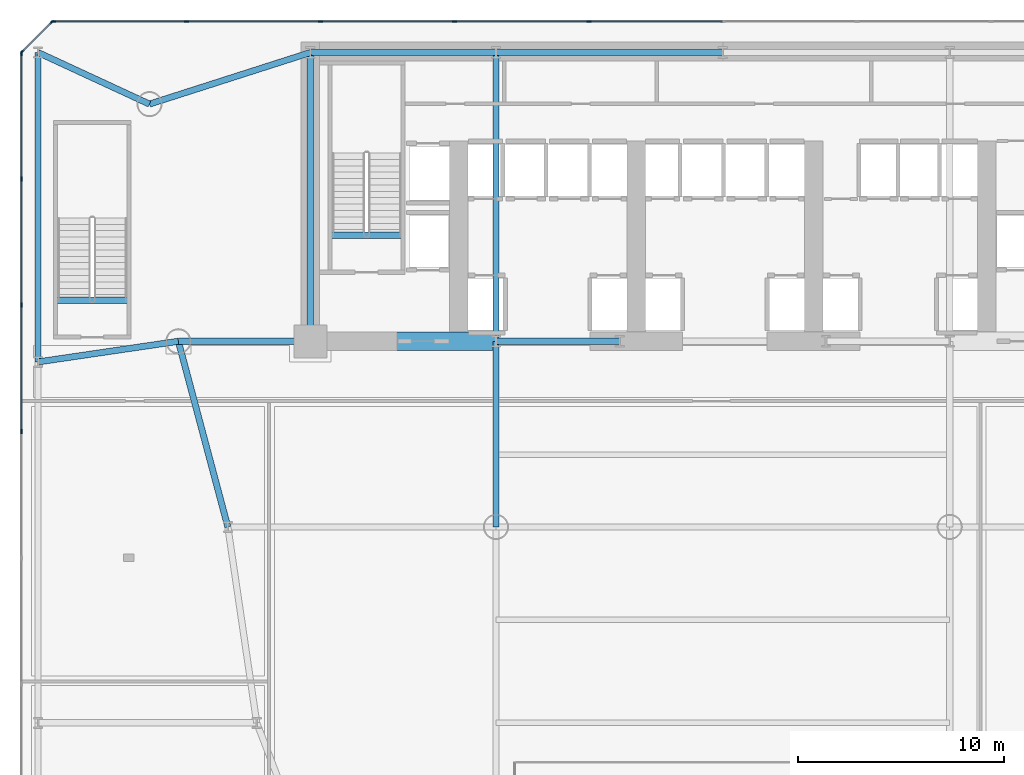
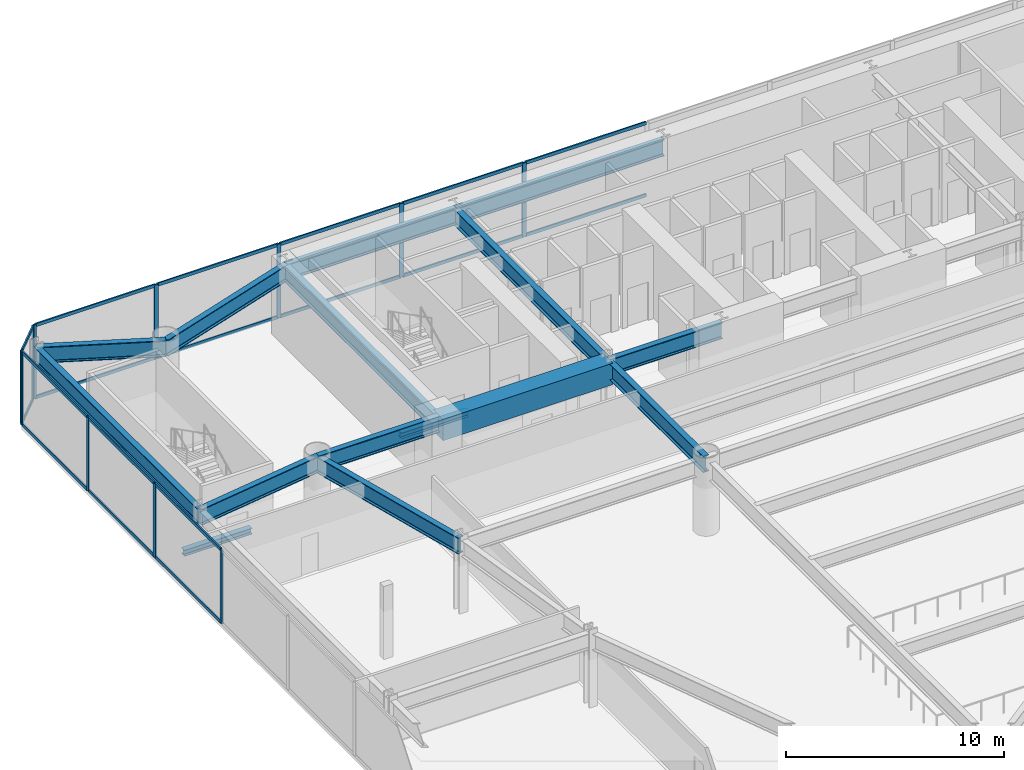
# One storey, part 7 of 24: 29 members, 15 beams, 3 elements without a shape of their own.
"""IFC4 building model written with IfcOpenShell, lengths in metres."""

from ifc_helpers import new_model, si_unit, direction, frame, origin, origin_2d, place, context, subcontext, project, spatial, rectangle, i_section, extrude, source, transform, mapped, material, layer, layer_set, material_profile, profile_set, type_object, element, aggregate, save


model = new_model("IFC4")

# Units and contexts
model_context = context("Model", 3, precision=1e-05, world=origin(), true_north=direction((0.0, 1.0)))
body_context = subcontext(model_context, "Body", "Model", "MODEL_VIEW")
ifc_project = project(units=[si_unit("LENGTHUNIT", "METRE"), si_unit("AREAUNIT", "SQUARE_METRE"), si_unit("VOLUMEUNIT", "CUBIC_METRE"), si_unit("PLANEANGLEUNIT", "RADIAN"), si_unit("MASSUNIT", "GRAM", prefix="KILO")], contexts=[model_context])

# Site, building, storey
site_placement = place(None, origin())
site = spatial("IfcSite", under=ifc_project, at=site_placement, CompositionType="ELEMENT")
building_placement = place(site_placement, origin())
building = spatial("IfcBuilding", under=site, at=building_placement, Name="Vaeldorn Concourse Tower", CompositionType="ELEMENT")
storey_placement = place(building_placement, frame((0.0, 0.0, 5.60009765625)))
storey = spatial("IfcBuildingStorey", under=building, at=storey_placement, Name="L01", CompositionType="ELEMENT", Elevation=5.60009765625)

# Beams
ifc_material_1 = material(Name="Concrete C60/75", Category="concrete")
ifc_material_profile_1 = material_profile(ifc_material_1, rectangle(XDim=0.89990234375, YDim=1.199951171875, at=origin_2d()), Name="RC 900x1200")
ifc_profile_set_1 = profile_set([ifc_material_profile_1], Name="Concrete C60/75")
beam_type_1 = type_object("IfcBeamType", Name="BM-CB-RC900", PredefinedType="BEAM", material=ifc_profile_set_1)
shared_shape_1 = source(origin(), body_context, "Body", "SweptSolid", [
    extrude(rectangle(XDim=0.89990234375, YDim=1.199951171875, at=origin_2d()), origin(), (0.0, 0.0, 1.0), 9.0),
])
beam_1_placement = place(storey_placement, frame((14.0, 36.5, 3.52001953125), z_axis=(1.0, 0.0, 0.0), x_axis=(0.0, 1.0, 0.0)))
element("IfcBeam", 1, at=beam_1_placement, inside=storey, type_object=beam_type_1, Name="Core Coupling Beam L01-1", PredefinedType="BEAM", context=body_context, shape_type="MappedRepresentation", body=[
    mapped(shared_shape_1, transform((0.0, 0.0, 0.0), scale=1.0)),
])
ifc_material_2 = material(Name="Steel S355", Category="steel")
ifc_material_profile_2 = material_profile(ifc_material_2, i_section(OverallWidth=0.300048828125, OverallDepth=0.340087890625, WebThickness=0.011962890625, FlangeThickness=0.021484375, FilletRadius=0.027099609375, at=origin_2d()), Name="HEB 340")
ifc_profile_set_2 = profile_set([ifc_material_profile_2], Name="Steel S355")
beam_type_2 = type_object("IfcBeamType", Name="BM-ST-TRIM", PredefinedType="BEAM", material=ifc_profile_set_2)
shared_shape_2 = source(origin(), body_context, "Body", "SweptSolid", [
    extrude(i_section(OverallWidth=0.300048828125, OverallDepth=0.340087890625, WebThickness=0.011962890625, FlangeThickness=0.021484375, FilletRadius=0.027099609375, at=origin_2d()), origin(), (0.0, 0.0, 1.0), 3.590087890625),
])
for number, where, z_axis, x_axis, name in (
    (2, (14.929931640625, 41.639892578125, -0.4501953125), (1.0, 0.0, 0.0), (0.0, 1.0, 0.0), "Stair Landing Trimmer Beam ST-1 L01"),
    (3, (1.6298828125, 38.489990234375, -0.4501953125), (1.0, 0.0, 0.0), (0.0, 1.0, 0.0), "Stair Landing Trimmer Beam ST-3 L01"),
):
    element("IfcBeam", number, at=place(storey_placement, frame(where, z_axis=z_axis, x_axis=x_axis)), inside=storey, type_object=beam_type_2, Name=name, PredefinedType="BEAM", context=body_context, shape_type="MappedRepresentation", body=[
        mapped(shared_shape_2, transform((0.0, 0.0, 0.0), scale=1.0)),
    ])
ifc_material_profile_3 = material_profile(ifc_material_2, i_section(OverallWidth=0.302001953125, OverallDepth=0.909912109375, WebThickness=0.02099609375, FlangeThickness=0.0400390625, FilletRadius=0.030029296875, at=origin_2d()), Name="HEM 900")
ifc_profile_set_3 = profile_set([ifc_material_profile_3], Name="Steel S355")
beam_type_3 = type_object("IfcBeamType", Name="BM-PG-HEM900", PredefinedType="BEAM", material=ifc_profile_set_3)
shared_shape_3 = source(origin(), body_context, "Body", "SweptSolid", [
    extrude(i_section(OverallWidth=0.302001953125, OverallDepth=0.909912109375, WebThickness=0.02099609375, FlangeThickness=0.0400390625, FilletRadius=0.030029296875, at=origin_2d()), origin(), (0.0, 0.0, 1.0), 6.0),
])
beam_2_placement = place(storey_placement, frame((23.0, 36.5, 3.664794921875), z_axis=(1.0, 0.0, 0.0), x_axis=(0.0, 1.0, 0.0)))
element("IfcBeam", 4, at=beam_2_placement, inside=storey, type_object=beam_type_3, Name="Beam BM-L01-C-FC2-C-FC3", PredefinedType="BEAM", context=body_context, shape_type="MappedRepresentation", body=[
    mapped(shared_shape_3, transform((0.0, 0.0, 0.0), scale=1.0)),
])
shared_shape_4 = source(origin(), body_context, "Body", "SweptSolid", [
    extrude(i_section(OverallWidth=0.302001953125, OverallDepth=0.909912109375, WebThickness=0.02099609375, FlangeThickness=0.0400390625, FilletRadius=0.030029296875, at=origin_2d()), origin(), (0.0, 0.0, 1.0), 9.0),
])
for number, where, z_axis, x_axis, name in (
    (5, (14.0, 50.5, 3.664794921875), (1.0, 0.0, 0.0), (0.0, 1.0, 0.0), "Beam BM-L01-C-HC1-C-HC2"),
    (6, (23.0, 27.5, 3.664794921875), (0.0, 1.0, 0.0), (-1.0, 0.0, 0.0), "Beam BM-L01-C-TW1-C-FC2"),
):
    element("IfcBeam", number, at=place(storey_placement, frame(where, z_axis=z_axis, x_axis=x_axis)), inside=storey, type_object=beam_type_3, Name=name, PredefinedType="BEAM", context=body_context, shape_type="MappedRepresentation", body=[
        mapped(shared_shape_4, transform((0.0, 0.0, 0.0), scale=1.0)),
    ])
shared_shape_5 = source(origin(), body_context, "Body", "SweptSolid", [
    extrude(i_section(OverallWidth=0.302001953125, OverallDepth=0.909912109375, WebThickness=0.02099609375, FlangeThickness=0.0400390625, FilletRadius=0.030029296875, at=origin_2d()), origin(), (0.0, 0.0, 1.0), 11.0),
])
beam_3_placement = place(storey_placement, frame((23.0, 50.5, 3.664794921875), z_axis=(1.0, 0.0, 0.0), x_axis=(0.0, 1.0, 0.0)))
element("IfcBeam", 7, at=beam_3_placement, inside=storey, type_object=beam_type_3, Name="Beam BM-L01-C-HC2-C-HC3", PredefinedType="BEAM", context=body_context, shape_type="MappedRepresentation", body=[
    mapped(shared_shape_5, transform((0.0, 0.0, 0.0), scale=1.0)),
])
shared_shape_6 = source(origin(), body_context, "Body", "SweptSolid", [
    extrude(i_section(OverallWidth=0.302001953125, OverallDepth=0.909912109375, WebThickness=0.02099609375, FlangeThickness=0.0400390625, FilletRadius=0.030029296875, at=origin_2d()), origin(), (0.0, 0.0, 1.0), 14.0),
])
for number, where, z_axis, x_axis, name in (
    (8, (14.0, 36.5, 3.664794921875), (0.0, 1.0, 0.0), (-1.0, 0.0, 0.0), "Beam BM-L01-C-FC1-C-HC1"),
    (9, (23.0, 36.5, 3.664794921875), (0.0, 1.0, 0.0), (-1.0, 0.0, 0.0), "Beam BM-L01-C-FC2-C-HC2"),
):
    element("IfcBeam", number, at=place(storey_placement, frame(where, z_axis=z_axis, x_axis=x_axis)), inside=storey, type_object=beam_type_3, Name=name, PredefinedType="BEAM", context=body_context, shape_type="MappedRepresentation", body=[
        mapped(shared_shape_6, transform((0.0, 0.0, 0.0), scale=1.0)),
    ])
shared_shape_7 = source(origin(), body_context, "Body", "SweptSolid", [
    extrude(i_section(OverallWidth=0.302001953125, OverallDepth=0.909912109375, WebThickness=0.02099609375, FlangeThickness=0.0400390625, FilletRadius=0.030029296875, at=origin_2d()), origin(), (0.0, 0.0, 1.0), 15.0),
])
beam_4_placement = place(storey_placement, frame((0.800048828125, 35.5, 3.664794921875), z_axis=(0.0, 1.0, 0.0), x_axis=(-1.0, 0.0, 0.0)))
element("IfcBeam", 10, at=beam_4_placement, inside=storey, type_object=beam_type_3, Name="Beam BM-L01-C-PW3-C-PW4", PredefinedType="BEAM", context=body_context, shape_type="MappedRepresentation", body=[
    mapped(shared_shape_7, transform((0.0, 0.0, 0.0), scale=1.0)),
])
shared_shape_8 = source(origin(), body_context, "Body", "SweptSolid", [
    extrude(i_section(OverallWidth=0.302001953125, OverallDepth=0.909912109375, WebThickness=0.02099609375, FlangeThickness=0.0400390625, FilletRadius=0.030029296875, at=origin_2d()), origin(), (0.0, 0.0, 1.0), 6.873291015625),
])
beam_5_placement = place(storey_placement, frame((0.800048828125, 35.5, 3.664794921875), z_axis=(0.989359285749, 0.145492967882, 0.0), x_axis=(-0.145492967882, 0.989359285749, 0.0)))
element("IfcBeam", 11, at=beam_5_placement, inside=storey, type_object=beam_type_3, Name="Beam BM-L01-C-PW3-C-NW2", PredefinedType="BEAM", context=body_context, shape_type="MappedRepresentation", body=[
    mapped(shared_shape_8, transform((0.0, 0.0, 0.0), scale=1.0)),
])
shared_shape_9 = source(origin(), body_context, "Body", "SweptSolid", [
    extrude(i_section(OverallWidth=0.302001953125, OverallDepth=0.909912109375, WebThickness=0.02099609375, FlangeThickness=0.0400390625, FilletRadius=0.030029296875, at=origin_2d()), origin(), (0.0, 0.0, 1.0), 6.39990234375),
])
beam_6_placement = place(storey_placement, frame((7.60009765625, 36.5, 3.664794921875), z_axis=(1.0, 0.0, 0.0), x_axis=(0.0, 1.0, 0.0)))
element("IfcBeam", 12, at=beam_6_placement, inside=storey, type_object=beam_type_3, Name="Beam BM-L01-C-NW2-C-FC1", PredefinedType="BEAM", context=body_context, shape_type="MappedRepresentation", body=[
    mapped(shared_shape_9, transform((0.0, 0.0, 0.0), scale=1.0)),
])
shared_shape_10 = source(origin(), body_context, "Body", "SweptSolid", [
    extrude(i_section(OverallWidth=0.302001953125, OverallDepth=0.909912109375, WebThickness=0.02099609375, FlangeThickness=0.0400390625, FilletRadius=0.030029296875, at=origin_2d()), origin(), (0.0, 0.0, 1.0), 5.950439453125),
])
beam_7_placement = place(storey_placement, frame((0.800048828125, 50.5, 3.664794921875), z_axis=(0.907464010437, -0.420129824888, 0.0), x_axis=(0.420129824888, 0.907464010437, 0.0)))
element("IfcBeam", 13, at=beam_7_placement, inside=storey, type_object=beam_type_3, Name="Beam BM-L01-C-PW4-C-NW1", PredefinedType="BEAM", context=body_context, shape_type="MappedRepresentation", body=[
    mapped(shared_shape_10, transform((0.0, 0.0, 0.0), scale=1.0)),
])
shared_shape_11 = source(origin(), body_context, "Body", "SweptSolid", [
    extrude(i_section(OverallWidth=0.302001953125, OverallDepth=0.909912109375, WebThickness=0.02099609375, FlangeThickness=0.0400390625, FilletRadius=0.030029296875, at=origin_2d()), origin(), (0.0, 0.0, 1.0), 8.19091796875),
])
beam_8_placement = place(storey_placement, frame((6.199951171875, 48.0, 3.664794921875), z_axis=(0.952282843383, 0.305216949396, 0.0), x_axis=(-0.305216949396, 0.952282843383, 0.0)))
element("IfcBeam", 14, at=beam_8_placement, inside=storey, type_object=beam_type_3, Name="Beam BM-L01-C-NW1-C-HC1", PredefinedType="BEAM", context=body_context, shape_type="MappedRepresentation", body=[
    mapped(shared_shape_11, transform((0.0, 0.0, 0.0), scale=1.0)),
])
shared_shape_12 = source(origin(), body_context, "Body", "SweptSolid", [
    extrude(i_section(OverallWidth=0.302001953125, OverallDepth=0.909912109375, WebThickness=0.02099609375, FlangeThickness=0.0400390625, FilletRadius=0.030029296875, at=origin_2d()), origin(), (0.0, 0.0, 1.0), 9.314453125),
])
beam_9_placement = place(storey_placement, frame((7.60009765625, 36.5, 3.664794921875), z_axis=(0.257652862255, -0.966237549763, 0.0), x_axis=(0.966237549763, 0.257652862255, 0.0)))
element("IfcBeam", 15, at=beam_9_placement, inside=storey, type_object=beam_type_3, Name="Beam BM-L01-C-NW2-C-FLW1", PredefinedType="BEAM", context=body_context, shape_type="MappedRepresentation", body=[
    mapped(shared_shape_12, transform((0.0, 0.0, 0.0), scale=1.0)),
])

# Curtain wall, members
ifc_material_3 = material(Name="Anodised Bronze Aluminium", Category="aluminium")
ifc_layer = layer(ifc_material_3, 0.239990234375)
ifc_layer_set = layer_set([ifc_layer], Name="Anodised Bronze Aluminium")
curtain_wall_type = type_object("IfcCurtainWallType", Name="CW-SYS-04", PredefinedType="NOTDEFINED", material=ifc_layer_set)
curtain_wall_1_placement = place(storey_placement, origin())
curtain_wall_1 = element("IfcCurtainWall", 16, at=curtain_wall_1_placement, inside=storey, type_object=curtain_wall_type, Name="Unitised Curtain Wall CW-L01-E05-1", PredefinedType="NOTDEFINED")
ifc_material_profile_4 = material_profile(ifc_material_3, rectangle(XDim=0.074951171875, YDim=0.219970703125, at=origin_2d()), Name="CWM 75x220")
ifc_profile_set_4 = profile_set([ifc_material_profile_4], Name="Anodised Bronze Aluminium")
member_type_1 = type_object("IfcMemberType", Name="CWM-BRONZE-220", PredefinedType="MULLION", material=ifc_profile_set_4)
shared_shape_13 = source(origin(), body_context, "Body", "SweptSolid", [
    extrude(rectangle(XDim=0.074951171875, YDim=0.219970703125, at=origin_2d()), origin(), (0.0, 0.0, 1.0), 4.119873046875),
])
member_1_placement = place(storey_placement, frame((27.5, 52.0, 0.0), z_axis=(0.0, 0.0, 1.0), x_axis=(0.0, -1.0, 0.0)))
member_1 = element("IfcMember", 17, at=member_1_placement, type_object=member_type_1, Name="CW-04 mullion 7", PredefinedType="MULLION", context=body_context, shape_type="MappedRepresentation", body=[
    mapped(shared_shape_13, transform((0.0, 0.0, 0.0), scale=1.0)),
])
member_2_placement = place(storey_placement, frame((21.0, 52.0, 0.0), z_axis=(0.0, 0.0, 1.0), x_axis=(0.0, -1.0, 0.0)))
member_2 = element("IfcMember", 18, at=member_2_placement, type_object=member_type_1, Name="CW-04 mullion 8", PredefinedType="MULLION", context=body_context, shape_type="MappedRepresentation", body=[
    mapped(shared_shape_13, transform((0.0, 0.0, 0.0), scale=1.0)),
])
member_3_placement = place(storey_placement, frame((14.5, 52.0, 0.0), z_axis=(0.0, 0.0, 1.0), x_axis=(0.0, -1.0, 0.0)))
member_3 = element("IfcMember", 19, at=member_3_placement, type_object=member_type_1, Name="CW-04 mullion 9", PredefinedType="MULLION", context=body_context, shape_type="MappedRepresentation", body=[
    mapped(shared_shape_13, transform((0.0, 0.0, 0.0), scale=1.0)),
])
member_4_placement = place(storey_placement, frame((8.0, 52.0, 0.0), z_axis=(0.0, 0.0, 1.0), x_axis=(0.0, -1.0, 0.0)))
member_4 = element("IfcMember", 20, at=member_4_placement, type_object=member_type_1, Name="CW-04 mullion 10", PredefinedType="MULLION", context=body_context, shape_type="MappedRepresentation", body=[
    mapped(shared_shape_13, transform((0.0, 0.0, 0.0), scale=1.0)),
])
member_5_placement = place(storey_placement, frame((1.53759765625, 52.0, 0.0), z_axis=(0.0, 0.0, 1.0), x_axis=(0.0, -1.0, 0.0)))
member_5 = element("IfcMember", 21, at=member_5_placement, type_object=member_type_1, Name="CW-04 mullion 11", PredefinedType="MULLION", context=body_context, shape_type="MappedRepresentation", body=[
    mapped(shared_shape_13, transform((0.0, 0.0, 0.0), scale=1.0)),
])

curtain_wall_2_placement = place(storey_placement, origin())
curtain_wall_2 = element("IfcCurtainWall", 22, at=curtain_wall_2_placement, inside=storey, type_object=curtain_wall_type, Name="Unitised Curtain Wall CW-L01-E06-1", PredefinedType="NOTDEFINED")
member_6_placement = place(storey_placement, frame((1.473388671875, 51.973388671875, 0.0), z_axis=(0.0, 0.0, 1.0), x_axis=(0.707106781187, -0.707106781187, 0.0)))
member_6 = element("IfcMember", 23, at=member_6_placement, type_object=member_type_1, Name="CW-04 mullion 1", PredefinedType="MULLION", context=body_context, shape_type="MappedRepresentation", body=[
    mapped(shared_shape_13, transform((0.0, 0.0, 0.0), scale=1.0)),
])
member_7_placement = place(storey_placement, frame((0.026611328125, 50.526611328125, 0.0), z_axis=(0.0, 0.0, 1.0), x_axis=(0.707106781187, -0.707106781187, 0.0)))
member_7 = element("IfcMember", 24, at=member_7_placement, type_object=member_type_1, Name="CW-04 mullion 2", PredefinedType="MULLION", context=body_context, shape_type="MappedRepresentation", body=[
    mapped(shared_shape_13, transform((0.0, 0.0, 0.0), scale=1.0)),
])

curtain_wall_3_placement = place(storey_placement, origin())
curtain_wall_3 = element("IfcCurtainWall", 25, at=curtain_wall_3_placement, inside=storey, type_object=curtain_wall_type, Name="Unitised Curtain Wall CW-L01-E07-1", PredefinedType="NOTDEFINED")
member_8_placement = place(storey_placement, frame((0.0, 50.46240234375, 0.0), z_axis=(0.0, 0.0, 1.0), x_axis=(1.0, 0.0, 0.0)))
member_8 = element("IfcMember", 26, at=member_8_placement, type_object=member_type_1, Name="CW-04 mullion 1", PredefinedType="MULLION", context=body_context, shape_type="MappedRepresentation", body=[
    mapped(shared_shape_13, transform((0.0, 0.0, 0.0), scale=1.0)),
])
member_9_placement = place(storey_placement, frame((0.0, 44.375, 0.0), z_axis=(0.0, 0.0, 1.0), x_axis=(1.0, 0.0, 0.0)))
member_9 = element("IfcMember", 27, at=member_9_placement, type_object=member_type_1, Name="CW-04 mullion 2", PredefinedType="MULLION", context=body_context, shape_type="MappedRepresentation", body=[
    mapped(shared_shape_13, transform((0.0, 0.0, 0.0), scale=1.0)),
])
member_10_placement = place(storey_placement, frame((0.0, 38.25, 0.0), z_axis=(0.0, 0.0, 1.0), x_axis=(1.0, 0.0, 0.0)))
member_10 = element("IfcMember", 28, at=member_10_placement, type_object=member_type_1, Name="CW-04 mullion 3", PredefinedType="MULLION", context=body_context, shape_type="MappedRepresentation", body=[
    mapped(shared_shape_13, transform((0.0, 0.0, 0.0), scale=1.0)),
])
member_11_placement = place(storey_placement, frame((0.0, 32.125, 0.0), z_axis=(0.0, 0.0, 1.0), x_axis=(1.0, 0.0, 0.0)))
member_11 = element("IfcMember", 29, at=member_11_placement, type_object=member_type_1, Name="CW-04 mullion 4", PredefinedType="MULLION", context=body_context, shape_type="MappedRepresentation", body=[
    mapped(shared_shape_13, transform((0.0, 0.0, 0.0), scale=1.0)),
])

# Member
ifc_material_profile_5 = material_profile(ifc_material_3, rectangle(XDim=0.074951171875, YDim=0.179931640625, at=origin_2d()), Name="CWT 75x180")
ifc_profile_set_5 = profile_set([ifc_material_profile_5], Name="Anodised Bronze Aluminium")
member_type_2 = type_object("IfcMemberType", Name="CWT-BRONZE-180", PredefinedType="USERDEFINED", material=ifc_profile_set_5)
shared_shape_14 = source(origin(), body_context, "Body", "SweptSolid", [
    extrude(rectangle(XDim=0.074951171875, YDim=0.179931640625, at=origin_2d()), origin(), (0.0, 0.0, 1.0), 6.387451171875),
])
member_12_placement = place(storey_placement, frame((7.96240234375, 52.0, 0.037353515625), z_axis=(-1.0, 0.0, 0.0), x_axis=(0.0, -1.0, 0.0)))
member_12 = element("IfcMember", 30, at=member_12_placement, type_object=member_type_2, Name="CW-04 transom 10.1", ObjectType="TRANSOM", PredefinedType="USERDEFINED", context=body_context, shape_type="MappedRepresentation", body=[
    mapped(shared_shape_14, transform((0.0, 0.0, 0.0), scale=1.0)),
])

member_13_placement = place(storey_placement, frame((7.96240234375, 52.0, 4.08251953125), z_axis=(-1.0, 0.0, 0.0), x_axis=(0.0, -1.0, 0.0)))
member_13 = element("IfcMember", 31, at=member_13_placement, type_object=member_type_2, Name="CW-04 transom 10.2", ObjectType="TRANSOM", PredefinedType="USERDEFINED", context=body_context, shape_type="MappedRepresentation", body=[
    mapped(shared_shape_14, transform((0.0, 0.0, 0.0), scale=1.0)),
])

shared_shape_15 = source(origin(), body_context, "Body", "SweptSolid", [
    extrude(rectangle(XDim=0.074951171875, YDim=0.179931640625, at=origin_2d()), origin(), (0.0, 0.0, 1.0), 6.4248046875),
])
member_14_placement = place(storey_placement, frame((33.96240234375, 52.0, 0.037353515625), z_axis=(-1.0, 0.0, 0.0), x_axis=(0.0, -1.0, 0.0)))
member_14 = element("IfcMember", 32, at=member_14_placement, type_object=member_type_2, Name="CW-04 transom 6.1", ObjectType="TRANSOM", PredefinedType="USERDEFINED", context=body_context, shape_type="MappedRepresentation", body=[
    mapped(shared_shape_15, transform((0.0, 0.0, 0.0), scale=1.0)),
])

member_15_placement = place(storey_placement, frame((33.96240234375, 52.0, 4.08251953125), z_axis=(-1.0, 0.0, 0.0), x_axis=(0.0, -1.0, 0.0)))
member_15 = element("IfcMember", 33, at=member_15_placement, type_object=member_type_2, Name="CW-04 transom 6.2", ObjectType="TRANSOM", PredefinedType="USERDEFINED", context=body_context, shape_type="MappedRepresentation", body=[
    mapped(shared_shape_15, transform((0.0, 0.0, 0.0), scale=1.0)),
])

member_16_placement = place(storey_placement, frame((27.46240234375, 52.0, 0.037353515625), z_axis=(-1.0, 0.0, 0.0), x_axis=(0.0, -1.0, 0.0)))
member_16 = element("IfcMember", 34, at=member_16_placement, type_object=member_type_2, Name="CW-04 transom 7.1", ObjectType="TRANSOM", PredefinedType="USERDEFINED", context=body_context, shape_type="MappedRepresentation", body=[
    mapped(shared_shape_15, transform((0.0, 0.0, 0.0), scale=1.0)),
])

member_17_placement = place(storey_placement, frame((27.46240234375, 52.0, 4.08251953125), z_axis=(-1.0, 0.0, 0.0), x_axis=(0.0, -1.0, 0.0)))
member_17 = element("IfcMember", 35, at=member_17_placement, type_object=member_type_2, Name="CW-04 transom 7.2", ObjectType="TRANSOM", PredefinedType="USERDEFINED", context=body_context, shape_type="MappedRepresentation", body=[
    mapped(shared_shape_15, transform((0.0, 0.0, 0.0), scale=1.0)),
])

member_18_placement = place(storey_placement, frame((20.96240234375, 52.0, 0.037353515625), z_axis=(-1.0, 0.0, 0.0), x_axis=(0.0, -1.0, 0.0)))
member_18 = element("IfcMember", 36, at=member_18_placement, type_object=member_type_2, Name="CW-04 transom 8.1", ObjectType="TRANSOM", PredefinedType="USERDEFINED", context=body_context, shape_type="MappedRepresentation", body=[
    mapped(shared_shape_15, transform((0.0, 0.0, 0.0), scale=1.0)),
])

member_19_placement = place(storey_placement, frame((20.96240234375, 52.0, 4.08251953125), z_axis=(-1.0, 0.0, 0.0), x_axis=(0.0, -1.0, 0.0)))
member_19 = element("IfcMember", 37, at=member_19_placement, type_object=member_type_2, Name="CW-04 transom 8.2", ObjectType="TRANSOM", PredefinedType="USERDEFINED", context=body_context, shape_type="MappedRepresentation", body=[
    mapped(shared_shape_15, transform((0.0, 0.0, 0.0), scale=1.0)),
])

member_20_placement = place(storey_placement, frame((14.46240234375, 52.0, 0.037353515625), z_axis=(-1.0, 0.0, 0.0), x_axis=(0.0, -1.0, 0.0)))
member_20 = element("IfcMember", 38, at=member_20_placement, type_object=member_type_2, Name="CW-04 transom 9.1", ObjectType="TRANSOM", PredefinedType="USERDEFINED", context=body_context, shape_type="MappedRepresentation", body=[
    mapped(shared_shape_15, transform((0.0, 0.0, 0.0), scale=1.0)),
])

member_21_placement = place(storey_placement, frame((14.46240234375, 52.0, 4.08251953125), z_axis=(-1.0, 0.0, 0.0), x_axis=(0.0, -1.0, 0.0)))
member_21 = element("IfcMember", 39, at=member_21_placement, type_object=member_type_2, Name="CW-04 transom 9.2", ObjectType="TRANSOM", PredefinedType="USERDEFINED", context=body_context, shape_type="MappedRepresentation", body=[
    mapped(shared_shape_15, transform((0.0, 0.0, 0.0), scale=1.0)),
])

aggregate(curtain_wall_1, [member_1, member_2, member_3, member_4, member_5, member_14, member_15, member_16, member_17, member_18, member_19, member_20, member_21, member_12, member_13])

shared_shape_16 = source(origin(), body_context, "Body", "SweptSolid", [
    extrude(rectangle(XDim=0.074951171875, YDim=0.179931640625, at=origin_2d()), origin(), (0.0, 0.0, 1.0), 1.971435546875),
])
member_22_placement = place(storey_placement, frame((1.447021484375, 51.947021484375, 0.037353515625), z_axis=(-0.707106781187, -0.707106781187, 0.0), x_axis=(0.707106781187, -0.707106781187, 0.0)))
member_22 = element("IfcMember", 40, at=member_22_placement, type_object=member_type_2, Name="CW-04 transom 1.1", ObjectType="TRANSOM", PredefinedType="USERDEFINED", context=body_context, shape_type="MappedRepresentation", body=[
    mapped(shared_shape_16, transform((0.0, 0.0, 0.0), scale=1.0)),
])

member_23_placement = place(storey_placement, frame((1.447021484375, 51.947021484375, 4.08251953125), z_axis=(-0.707106781187, -0.707106781187, 0.0), x_axis=(0.707106781187, -0.707106781187, 0.0)))
member_23 = element("IfcMember", 41, at=member_23_placement, type_object=member_type_2, Name="CW-04 transom 1.2", ObjectType="TRANSOM", PredefinedType="USERDEFINED", context=body_context, shape_type="MappedRepresentation", body=[
    mapped(shared_shape_16, transform((0.0, 0.0, 0.0), scale=1.0)),
])

aggregate(curtain_wall_2, [member_6, member_7, member_22, member_23])

shared_shape_17 = source(origin(), body_context, "Body", "SweptSolid", [
    extrude(rectangle(XDim=0.074951171875, YDim=0.179931640625, at=origin_2d()), origin(), (0.0, 0.0, 1.0), 6.012451171875),
])
member_24_placement = place(storey_placement, frame((0.0, 50.425048828125, 0.037353515625), z_axis=(0.0, -1.0, 0.0), x_axis=(1.0, 0.0, 0.0)))
member_24 = element("IfcMember", 42, at=member_24_placement, type_object=member_type_2, Name="CW-04 transom 1.1", ObjectType="TRANSOM", PredefinedType="USERDEFINED", context=body_context, shape_type="MappedRepresentation", body=[
    mapped(shared_shape_17, transform((0.0, 0.0, 0.0), scale=1.0)),
])

member_25_placement = place(storey_placement, frame((0.0, 50.425048828125, 4.08251953125), z_axis=(0.0, -1.0, 0.0), x_axis=(1.0, 0.0, 0.0)))
member_25 = element("IfcMember", 43, at=member_25_placement, type_object=member_type_2, Name="CW-04 transom 1.2", ObjectType="TRANSOM", PredefinedType="USERDEFINED", context=body_context, shape_type="MappedRepresentation", body=[
    mapped(shared_shape_17, transform((0.0, 0.0, 0.0), scale=1.0)),
])

shared_shape_18 = source(origin(), body_context, "Body", "SweptSolid", [
    extrude(rectangle(XDim=0.074951171875, YDim=0.179931640625, at=origin_2d()), origin(), (0.0, 0.0, 1.0), 6.0498046875),
])
member_26_placement = place(storey_placement, frame((0.0, 44.33740234375, 0.037353515625), z_axis=(0.0, -1.0, 0.0), x_axis=(1.0, 0.0, 0.0)))
member_26 = element("IfcMember", 44, at=member_26_placement, type_object=member_type_2, Name="CW-04 transom 2.1", ObjectType="TRANSOM", PredefinedType="USERDEFINED", context=body_context, shape_type="MappedRepresentation", body=[
    mapped(shared_shape_18, transform((0.0, 0.0, 0.0), scale=1.0)),
])

member_27_placement = place(storey_placement, frame((0.0, 44.33740234375, 4.08251953125), z_axis=(0.0, -1.0, 0.0), x_axis=(1.0, 0.0, 0.0)))
member_27 = element("IfcMember", 45, at=member_27_placement, type_object=member_type_2, Name="CW-04 transom 2.2", ObjectType="TRANSOM", PredefinedType="USERDEFINED", context=body_context, shape_type="MappedRepresentation", body=[
    mapped(shared_shape_18, transform((0.0, 0.0, 0.0), scale=1.0)),
])

member_28_placement = place(storey_placement, frame((0.0, 38.21240234375, 0.037353515625), z_axis=(0.0, -1.0, 0.0), x_axis=(1.0, 0.0, 0.0)))
member_28 = element("IfcMember", 46, at=member_28_placement, type_object=member_type_2, Name="CW-04 transom 3.1", ObjectType="TRANSOM", PredefinedType="USERDEFINED", context=body_context, shape_type="MappedRepresentation", body=[
    mapped(shared_shape_18, transform((0.0, 0.0, 0.0), scale=1.0)),
])

member_29_placement = place(storey_placement, frame((0.0, 38.21240234375, 4.08251953125), z_axis=(0.0, -1.0, 0.0), x_axis=(1.0, 0.0, 0.0)))
member_29 = element("IfcMember", 47, at=member_29_placement, type_object=member_type_2, Name="CW-04 transom 3.2", ObjectType="TRANSOM", PredefinedType="USERDEFINED", context=body_context, shape_type="MappedRepresentation", body=[
    mapped(shared_shape_18, transform((0.0, 0.0, 0.0), scale=1.0)),
])

aggregate(curtain_wall_3, [member_8, member_9, member_10, member_11, member_24, member_25, member_26, member_27, member_28, member_29])

save(model, "model.ifc")
